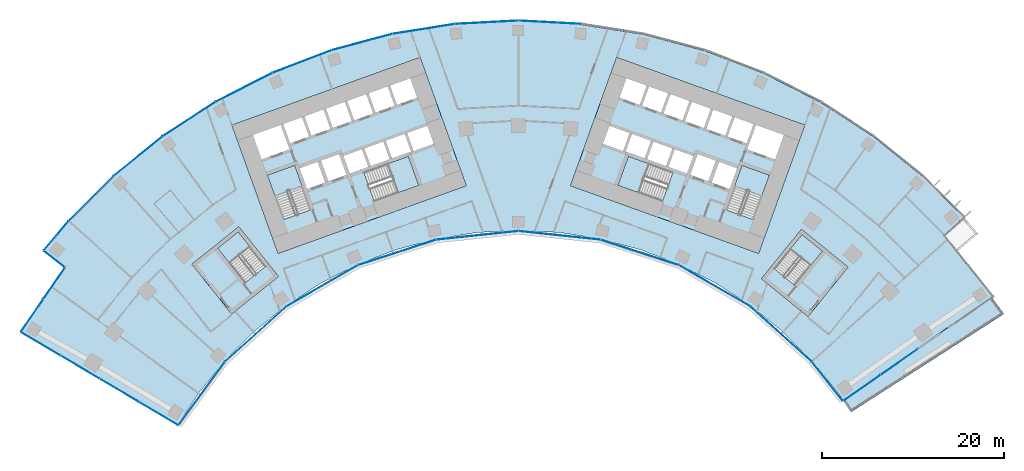
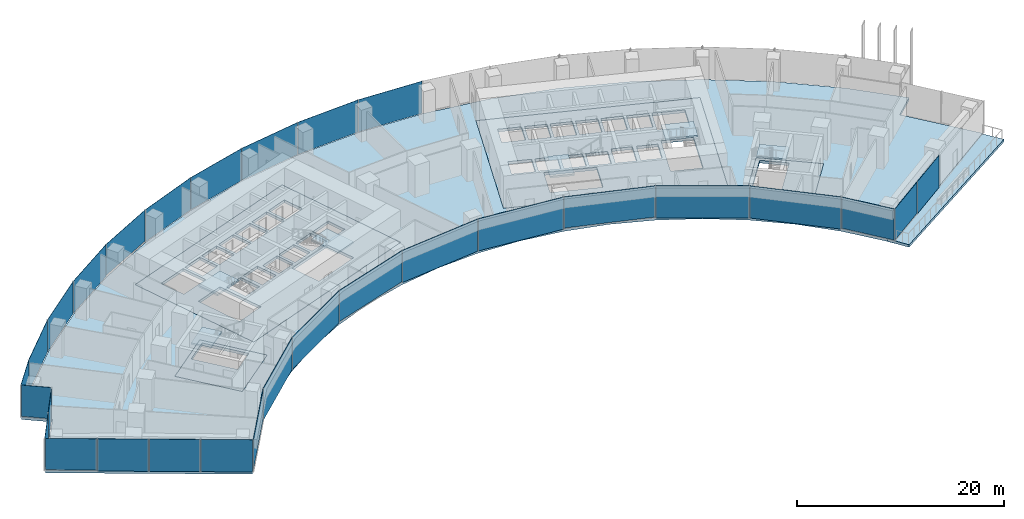
# One storey, part 12 of 21: 29 plates, 12 slabs, 12 elements without a shape of their own.
"""IFC4 building model written with IfcOpenShell, lengths in metres."""

from ifc_helpers import new_model, si_unit, direction, frame, origin, origin_2d, place, context, subcontext, project, spatial, polyline, rectangle, outline, extrude, material, layer, layer_set, type_object, element, aggregate, save


model = new_model("IFC4")

# Units and contexts
model_context = context("Model", 3, precision=1e-05, world=origin(), true_north=direction((0.0, 1.0)))
body_context = subcontext(model_context, "Body", "Model", "MODEL_VIEW")
ifc_project = project(units=[si_unit("LENGTHUNIT", "METRE"), si_unit("AREAUNIT", "SQUARE_METRE"), si_unit("VOLUMEUNIT", "CUBIC_METRE"), si_unit("PLANEANGLEUNIT", "RADIAN"), si_unit("MASSUNIT", "GRAM", prefix="KILO")], contexts=[model_context])

# Site, building, storey
site_placement = place(None, origin())
site = spatial("IfcSite", under=ifc_project, at=site_placement, CompositionType="ELEMENT")
building_placement = place(site_placement, origin())
building = spatial("IfcBuilding", under=site, at=building_placement, Name="Stone Belt Terrace Tower", CompositionType="ELEMENT")
storey_placement = place(building_placement, frame((0.0, 0.0, 56.60009765625)))
storey = spatial("IfcBuildingStorey", under=building, at=storey_placement, Name="L13", CompositionType="ELEMENT", Elevation=56.60009765625)

# Curtain wall, plates
ifc_material_1 = material(Name="Aluminium 6063-T6 anodised frame", Category="aluminium")
ifc_layer_1 = layer(ifc_material_1, 0.14990234375)
ifc_layer_set_1 = layer_set([ifc_layer_1], Name="CW-A unitised convex-face curtain wall")
curtain_wall_type_1 = type_object("IfcCurtainWallType", Name="CW-A unitised convex-face curtain wall", PredefinedType="NOTDEFINED", material=ifc_layer_set_1)
curtain_wall_1_placement = place(storey_placement, origin())
curtain_wall_1 = element("IfcCurtainWall", 1, at=curtain_wall_1_placement, inside=storey, type_object=curtain_wall_type_1, Name="CW-A convex face L13", PredefinedType="NOTDEFINED")
ifc_material_2 = material(Name="Clear double glazed unit")
ifc_layer_2 = layer(ifc_material_2, 0.031982421875)
ifc_layer_set_2 = layer_set([ifc_layer_2], Name="CW-A glass panel 32")
plate_type_1 = type_object("IfcPlateType", Name="CW-A glass panel 32", PredefinedType="CURTAIN_PANEL", material=ifc_layer_set_2)
plate_1_placement = place(storey_placement, frame((3.4794921875, 66.392822265625, 0.0), z_axis=(0.0, 0.0, 1.0), x_axis=(-0.998629534755, 0.052335956243, 0.0)))
plate_1 = element("IfcPlate", 2, at=plate_1_placement, type_object=plate_type_1, Name="CW-A panel 8.1", PredefinedType="CURTAIN_PANEL", context=body_context, shape_type="SweptSolid", body=[
    extrude(rectangle(XDim=6.90087890625, YDim=0.031982421875, at=origin_2d()), origin(), (0.0, 0.0, 1.0), 3.800048828125),
])
plate_2_placement = place(storey_placement, frame((-3.4794921875, 66.392822265625, 0.0), z_axis=(0.0, 0.0, 1.0), x_axis=(-0.998629534755, -0.052335956243, 0.0)))
plate_2 = element("IfcPlate", 3, at=plate_2_placement, type_object=plate_type_1, Name="CW-A panel 9.1", PredefinedType="CURTAIN_PANEL", context=body_context, shape_type="SweptSolid", body=[
    extrude(rectangle(XDim=6.90087890625, YDim=0.031982421875, at=origin_2d()), origin(), (0.0, 0.0, 1.0), 3.800048828125),
])
plate_3_placement = place(storey_placement, frame((-10.400390625, 65.665283203125, 0.0), z_axis=(0.0, 0.0, 1.0), x_axis=(-0.987688340595, -0.15643446504, 0.0)))
plate_3 = element("IfcPlate", 4, at=plate_3_placement, type_object=plate_type_1, Name="CW-A panel 10.1", PredefinedType="CURTAIN_PANEL", context=body_context, shape_type="SweptSolid", body=[
    extrude(rectangle(XDim=6.90087890625, YDim=0.031982421875, at=origin_2d()), origin(), (0.0, 0.0, 1.0), 3.800048828125),
])
plate_4_placement = place(storey_placement, frame((-17.207275390625, 64.218505859375, 0.0), z_axis=(0.0, 0.0, 1.0), x_axis=(-0.965925826289, -0.258819045103, 0.0)))
plate_4 = element("IfcPlate", 5, at=plate_4_placement, type_object=plate_type_1, Name="CW-A panel 11.1", PredefinedType="CURTAIN_PANEL", context=body_context, shape_type="SweptSolid", body=[
    extrude(rectangle(XDim=6.90087890625, YDim=0.031982421875, at=origin_2d()), origin(), (0.0, 0.0, 1.0), 3.800048828125),
])
plate_5_placement = place(storey_placement, frame((-23.82568359375, 62.068115234375, 0.0), z_axis=(0.0, 0.0, 1.0), x_axis=(-0.933580426497, -0.358367949545, 0.0)))
plate_5 = element("IfcPlate", 6, at=plate_5_placement, type_object=plate_type_1, Name="CW-A panel 12.1", PredefinedType="CURTAIN_PANEL", context=body_context, shape_type="SweptSolid", body=[
    extrude(rectangle(XDim=6.90087890625, YDim=0.031982421875, at=origin_2d()), origin(), (0.0, 0.0, 1.0), 3.800048828125),
])
plate_6_placement = place(storey_placement, frame((-30.18310546875, 59.237548828125, 0.14013671875), z_axis=(0.0, 0.0, 1.0), x_axis=(-0.891006524188, -0.45399049974, 0.0)))
plate_6 = element("IfcPlate", 7, at=plate_6_placement, type_object=plate_type_1, Name="CW-A panel 13.1", PredefinedType="CURTAIN_PANEL", context=body_context, shape_type="SweptSolid", body=[
    extrude(rectangle(XDim=6.90087890625, YDim=0.031982421875, at=origin_2d()), origin(), (0.0, 0.0, 1.0), 3.659912109375),
])
plate_7_placement = place(storey_placement, frame((-36.209716796875, 55.758056640625, 0.0), z_axis=(0.0, 0.0, 1.0), x_axis=(-0.838670567945, -0.544639035015, 0.0)))
plate_7 = element("IfcPlate", 8, at=plate_7_placement, type_object=plate_type_1, Name="CW-A panel 14.1", PredefinedType="CURTAIN_PANEL", context=body_context, shape_type="SweptSolid", body=[
    extrude(rectangle(XDim=6.90087890625, YDim=0.031982421875, at=origin_2d()), origin(), (0.0, 0.0, 1.0), 3.800048828125),
])
plate_8_placement = place(storey_placement, frame((-41.839599609375, 51.667724609375, 0.0), z_axis=(0.0, 0.0, 1.0), x_axis=(-0.777145961457, -0.62932039105, 0.0)))
plate_8 = element("IfcPlate", 9, at=plate_8_placement, type_object=plate_type_1, Name="CW-A panel 15.1", PredefinedType="CURTAIN_PANEL", context=body_context, shape_type="SweptSolid", body=[
    extrude(rectangle(XDim=6.90087890625, YDim=0.031982421875, at=origin_2d()), origin(), (0.0, 0.0, 1.0), 3.800048828125),
])
plate_9_placement = place(storey_placement, frame((-47.01123046875, 47.01123046875, 0.0), z_axis=(0.0, 0.0, 1.0), x_axis=(-0.707106781187, -0.707106781187, 0.0)))
plate_9 = element("IfcPlate", 10, at=plate_9_placement, type_object=plate_type_1, Name="CW-A panel 16.1", PredefinedType="CURTAIN_PANEL", context=body_context, shape_type="SweptSolid", body=[
    extrude(rectangle(XDim=6.90087890625, YDim=0.031982421875, at=origin_2d()), origin(), (0.0, 0.0, 1.0), 3.800048828125),
])
plate_10_placement = place(storey_placement, frame((-50.84423828125, 42.92626953125, 0.0), z_axis=(0.0, 0.0, 1.0), x_axis=(-0.645291395384, -0.763936525533, 0.0)))
plate_10 = element("IfcPlate", 11, at=plate_10_placement, type_object=plate_type_1, Name="CW-A panel 17.1", PredefinedType="CURTAIN_PANEL", context=body_context, shape_type="SweptSolid", body=[
    extrude(rectangle(XDim=4.17919921875, YDim=0.031982421875, at=origin_2d()), origin(), (0.0, 0.0, 1.0), 3.800048828125),
])
aggregate(curtain_wall_1, [plate_1, plate_2, plate_3, plate_4, plate_5, plate_6, plate_7, plate_8, plate_9, plate_10])

ifc_layer_3 = layer(ifc_material_1, 0.14990234375)
ifc_layer_set_3 = layer_set([ifc_layer_3], Name="CW-B unitised concave-face curtain wall")
curtain_wall_type_2 = type_object("IfcCurtainWallType", Name="CW-B unitised concave-face curtain wall", PredefinedType="NOTDEFINED", material=ifc_layer_set_3)
curtain_wall_2_placement = place(storey_placement, origin())
curtain_wall_2 = element("IfcCurtainWall", 12, at=curtain_wall_2_placement, inside=storey, type_object=curtain_wall_type_2, Name="CW-B concave face L13", PredefinedType="NOTDEFINED")
ifc_layer_4 = layer(ifc_material_2, 0.030029296875)
ifc_layer_set_4 = layer_set([ifc_layer_4], Name="CW-B glass panel 30")
plate_type_2 = type_object("IfcPlateType", Name="CW-B glass panel 30", PredefinedType="CURTAIN_PANEL", material=ifc_layer_set_4)
plate_11_placement = place(storey_placement, frame((-34.831787109375, 25.57177734375, 0.1201171875), z_axis=(0.0, 0.0, 1.0), x_axis=(0.592159017675, 0.805821132626, 0.0)))
plate_11 = element("IfcPlate", 13, at=plate_11_placement, type_object=plate_type_2, Name="CW-B panel 1.1", PredefinedType="CURTAIN_PANEL", context=body_context, shape_type="SweptSolid", body=[
    extrude(rectangle(XDim=8.583984375, YDim=0.030029296875, at=origin_2d()), origin(), (0.0, 0.0, 1.0), 3.679931640625),
])
plate_12_placement = place(storey_placement, frame((-28.897705078125, 32.09375, 0.0), z_axis=(0.0, 0.0, 1.0), x_axis=(0.743144825477, 0.669130606359, 0.0)))
plate_12 = element("IfcPlate", 14, at=plate_12_placement, type_object=plate_type_2, Name="CW-B panel 2.1", PredefinedType="CURTAIN_PANEL", context=body_context, shape_type="SweptSolid", body=[
    extrude(rectangle(XDim=9.01318359375, YDim=0.030029296875, at=origin_2d()), origin(), (0.0, 0.0, 1.0), 3.800048828125),
])
plate_13_placement = place(storey_placement, frame((-21.59326171875, 37.40087890625, 0.0), z_axis=(0.0, 0.0, 1.0), x_axis=(0.866025403784, 0.5, 0.0)))
plate_13 = element("IfcPlate", 15, at=plate_13_placement, type_object=plate_type_2, Name="CW-B panel 3.1", PredefinedType="CURTAIN_PANEL", context=body_context, shape_type="SweptSolid", body=[
    extrude(rectangle(XDim=9.0126953125, YDim=0.030029296875, at=origin_2d()), origin(), (0.0, 0.0, 1.0), 3.800048828125),
])
plate_14_placement = place(storey_placement, frame((-13.345458984375, 41.072998046875, 0.1201171875), z_axis=(0.0, 0.0, 1.0), x_axis=(0.951056516295, 0.309016994375, 0.0)))
plate_14 = element("IfcPlate", 16, at=plate_14_placement, type_object=plate_type_2, Name="CW-B panel 4.1", PredefinedType="CURTAIN_PANEL", context=body_context, shape_type="SweptSolid", body=[
    extrude(rectangle(XDim=9.0126953125, YDim=0.030029296875, at=origin_2d()), origin(), (0.0, 0.0, 1.0), 3.679931640625),
])
plate_15_placement = place(storey_placement, frame((-4.51416015625, 42.9501953125, 0.0), z_axis=(0.0, 0.0, 1.0), x_axis=(0.994521895368, 0.104528463268, 0.0)))
plate_15 = element("IfcPlate", 17, at=plate_15_placement, type_object=plate_type_2, Name="CW-B panel 5.1", PredefinedType="CURTAIN_PANEL", context=body_context, shape_type="SweptSolid", body=[
    extrude(rectangle(XDim=9.0126953125, YDim=0.030029296875, at=origin_2d()), origin(), (0.0, 0.0, 1.0), 3.800048828125),
])
plate_16_placement = place(storey_placement, frame((4.51416015625, 42.9501953125, 0.0), z_axis=(0.0, 0.0, 1.0), x_axis=(0.994521895368, -0.104528463268, 0.0)))
plate_16 = element("IfcPlate", 18, at=plate_16_placement, type_object=plate_type_2, Name="CW-B panel 6.1", PredefinedType="CURTAIN_PANEL", context=body_context, shape_type="SweptSolid", body=[
    extrude(rectangle(XDim=9.0126953125, YDim=0.030029296875, at=origin_2d()), origin(), (0.0, 0.0, 1.0), 3.800048828125),
])
plate_17_placement = place(storey_placement, frame((13.345458984375, 41.072998046875, 0.1201171875), z_axis=(0.0, 0.0, 1.0), x_axis=(0.951056516295, -0.309016994375, 0.0)))
plate_17 = element("IfcPlate", 19, at=plate_17_placement, type_object=plate_type_2, Name="CW-B panel 7.1", PredefinedType="CURTAIN_PANEL", context=body_context, shape_type="SweptSolid", body=[
    extrude(rectangle(XDim=9.0126953125, YDim=0.030029296875, at=origin_2d()), origin(), (0.0, 0.0, 1.0), 3.679931640625),
])
plate_18_placement = place(storey_placement, frame((21.59326171875, 37.40087890625, 0.0), z_axis=(0.0, 0.0, 1.0), x_axis=(0.866025403784, -0.5, 0.0)))
plate_18 = element("IfcPlate", 20, at=plate_18_placement, type_object=plate_type_2, Name="CW-B panel 8.1", PredefinedType="CURTAIN_PANEL", context=body_context, shape_type="SweptSolid", body=[
    extrude(rectangle(XDim=9.0126953125, YDim=0.030029296875, at=origin_2d()), origin(), (0.0, 0.0, 1.0), 3.800048828125),
])
plate_19_placement = place(storey_placement, frame((28.898681640625, 32.093017578125, 0.0), z_axis=(0.0, 0.0, 1.0), x_axis=(0.743144825477, -0.669130606359, 0.0)))
plate_19 = element("IfcPlate", 21, at=plate_19_placement, type_object=plate_type_2, Name="CW-B panel 9.1", PredefinedType="CURTAIN_PANEL", context=body_context, shape_type="SweptSolid", body=[
    extrude(rectangle(XDim=9.015869140625, YDim=0.030029296875, at=origin_2d()), origin(), (0.0, 0.0, 1.0), 3.800048828125),
])
plate_20_placement = place(storey_placement, frame((33.979248046875, 26.901123046875, 0.1201171875), z_axis=(0.0, 0.0, 1.0), x_axis=(0.621063679913, -0.783760107108, 0.0)))
plate_20 = element("IfcPlate", 22, at=plate_20_placement, type_object=plate_type_2, Name="CW-B panel 10.1", PredefinedType="CURTAIN_PANEL", context=body_context, shape_type="SweptSolid", body=[
    extrude(rectangle(XDim=5.435546875, YDim=0.030029296875, at=origin_2d()), origin(), (0.0, 0.0, 1.0), 3.679931640625),
])
aggregate(curtain_wall_2, [plate_11, plate_12, plate_13, plate_14, plate_15, plate_16, plate_17, plate_18, plate_19, plate_20])

ifc_layer_5 = layer(ifc_material_1, 0.14990234375)
ifc_layer_set_5 = layer_set([ifc_layer_5], Name="CW-C stick curtain wall, horn ends and notches")
curtain_wall_type_3 = type_object("IfcCurtainWallType", Name="CW-C stick curtain wall, horn ends and notches", PredefinedType="NOTDEFINED", material=ifc_layer_set_5)
curtain_wall_3_placement = place(storey_placement, origin())
curtain_wall_3 = element("IfcCurtainWall", 23, at=curtain_wall_3_placement, inside=storey, type_object=curtain_wall_type_3, Name="CW-C end face L13", PredefinedType="NOTDEFINED")
ifc_layer_6 = layer(ifc_material_2, 0.028076171875)
ifc_layer_set_6 = layer_set([ifc_layer_6], Name="CW-C glass panel 28")
plate_type_3 = type_object("IfcPlateType", Name="CW-C glass panel 28", PredefinedType="CURTAIN_PANEL", material=ifc_layer_set_6)
plate_21_placement = place(storey_placement, frame((37.81005859375, 26.17529296875, 0.1201171875), z_axis=(0.0, 0.0, 1.0), x_axis=(0.821271674793, 0.570537322339, 0.0)))
plate_21 = element("IfcPlate", 24, at=plate_21_placement, type_object=plate_type_3, Name="CW-C panel 1.1", PredefinedType="CURTAIN_PANEL", context=body_context, shape_type="SweptSolid", body=[
    extrude(rectangle(XDim=4.96728515625, YDim=0.028076171875, at=origin_2d()), origin(), (0.0, 0.0, 1.0), 3.679931640625),
])
plate_22_placement = place(storey_placement, frame((41.927734375, 29.035888671875, 0.0), z_axis=(0.0, 0.0, 1.0), x_axis=(0.821271674793, 0.570537322339, 0.0)))
plate_22 = element("IfcPlate", 25, at=plate_22_placement, type_object=plate_type_3, Name="CW-C panel 2.1", PredefinedType="CURTAIN_PANEL", context=body_context, shape_type="SweptSolid", body=[
    extrude(rectangle(XDim=4.93994140625, YDim=0.028076171875, at=origin_2d()), origin(), (0.0, 0.0, 1.0), 3.800048828125),
])
aggregate(curtain_wall_3, [plate_21, plate_22])

# Curtain wall, plate
curtain_wall_4_placement = place(storey_placement, origin())
curtain_wall_4 = element("IfcCurtainWall", 26, at=curtain_wall_4_placement, inside=storey, type_object=curtain_wall_type_3, Name="CW-C notch face L13", PredefinedType="NOTDEFINED")
plate_23_placement = place(storey_placement, frame((-51.061279296875, 40.3388671875, 0.1201171875), z_axis=(0.0, 0.0, 1.0), x_axis=(0.783963828584, -0.620806504051, 0.0)))
plate_23 = element("IfcPlate", 27, at=plate_23_placement, type_object=plate_type_3, Name="CW-C panel 1.1", PredefinedType="CURTAIN_PANEL", context=body_context, shape_type="SweptSolid", body=[
    extrude(rectangle(XDim=2.859375, YDim=0.028076171875, at=origin_2d()), origin(), (0.0, 0.0, 1.0), 3.679931640625),
])
aggregate(curtain_wall_4, [plate_23])

# Curtain wall, plates
curtain_wall_5_placement = place(storey_placement, origin())
curtain_wall_5 = element("IfcCurtainWall", 28, at=curtain_wall_5_placement, inside=storey, type_object=curtain_wall_type_3, Name="CW-C notch face L13", PredefinedType="NOTDEFINED")
plate_24_placement = place(storey_placement, frame((-51.091552734375, 37.647705078125, 0.1201171875), z_axis=(0.0, 0.0, 1.0), x_axis=(-0.566375967567, -0.824146991357, 0.0)))
plate_24 = element("IfcPlate", 29, at=plate_24_placement, type_object=plate_type_3, Name="CW-C panel 1.1", PredefinedType="CURTAIN_PANEL", context=body_context, shape_type="SweptSolid", body=[
    extrude(rectangle(XDim=4.12060546875, YDim=0.028076171875, at=origin_2d()), origin(), (0.0, 0.0, 1.0), 3.679931640625),
])
plate_25_placement = place(storey_placement, frame((-53.501220703125, 34.141357421875, 0.0), z_axis=(0.0, 0.0, 1.0), x_axis=(-0.566375967567, -0.824146991357, 0.0)))
plate_25 = element("IfcPlate", 30, at=plate_25_placement, type_object=plate_type_3, Name="CW-C panel 2.1", PredefinedType="CURTAIN_PANEL", context=body_context, shape_type="SweptSolid", body=[
    extrude(rectangle(XDim=4.268798828125, YDim=0.028076171875, at=origin_2d()), origin(), (0.0, 0.0, 1.0), 3.800048828125),
])
aggregate(curtain_wall_5, [plate_24, plate_25])

curtain_wall_6_placement = place(storey_placement, origin())
curtain_wall_6 = element("IfcCurtainWall", 31, at=curtain_wall_6_placement, inside=storey, type_object=curtain_wall_type_3, Name="CW-C end face L13", PredefinedType="NOTDEFINED")
plate_26_placement = place(storey_placement, frame((-52.54736328125, 31.014892578125, 0.1201171875), z_axis=(0.0, 0.0, 1.0), x_axis=(0.860557728521, -0.509352918793, 0.0)))
plate_26 = element("IfcPlate", 32, at=plate_26_placement, type_object=plate_type_3, Name="CW-C panel 1.1", PredefinedType="CURTAIN_PANEL", context=body_context, shape_type="SweptSolid", body=[
    extrude(rectangle(XDim=4.974853515625, YDim=0.028076171875, at=origin_2d()), origin(), (0.0, 0.0, 1.0), 3.679931640625),
])
plate_27_placement = place(storey_placement, frame((-48.2294921875, 28.459228515625, 0.0), z_axis=(0.0, 0.0, 1.0), x_axis=(0.860557728521, -0.509352918793, 0.0)))
plate_27 = element("IfcPlate", 33, at=plate_27_placement, type_object=plate_type_3, Name="CW-C panel 2.1", PredefinedType="CURTAIN_PANEL", context=body_context, shape_type="SweptSolid", body=[
    extrude(rectangle(XDim=4.93994140625, YDim=0.028076171875, at=origin_2d()), origin(), (0.0, 0.0, 1.0), 3.800048828125),
])
plate_28_placement = place(storey_placement, frame((-43.9267578125, 25.912353515625, 0.0), z_axis=(0.0, 0.0, 1.0), x_axis=(0.860557728521, -0.509352918793, 0.0)))
plate_28 = element("IfcPlate", 34, at=plate_28_placement, type_object=plate_type_3, Name="CW-C panel 3.1", PredefinedType="CURTAIN_PANEL", context=body_context, shape_type="SweptSolid", body=[
    extrude(rectangle(XDim=4.93994140625, YDim=0.028076171875, at=origin_2d()), origin(), (0.0, 0.0, 1.0), 3.800048828125),
])
plate_29_placement = place(storey_placement, frame((-39.613037109375, 23.359130859375, 0.0), z_axis=(0.0, 0.0, 1.0), x_axis=(0.860557728521, -0.509352918793, 0.0)))
plate_29 = element("IfcPlate", 35, at=plate_29_placement, type_object=plate_type_3, Name="CW-C panel 4.1", PredefinedType="CURTAIN_PANEL", context=body_context, shape_type="SweptSolid", body=[
    extrude(rectangle(XDim=4.96533203125, YDim=0.028076171875, at=origin_2d()), origin(), (0.0, 0.0, 1.0), 3.800048828125),
])
aggregate(curtain_wall_6, [plate_26, plate_27, plate_28, plate_29])

# Slabs
ifc_material_3 = material(Name="Concrete B40", Category="concrete")
ifc_layer_7 = layer(ifc_material_3, 0.320068359375)
ifc_layer_set_7 = layer_set([ifc_layer_7], Name="Core floor slab 320")
slab_type_1 = type_object("IfcSlabType", Name="Core floor slab 320", PredefinedType="FLOOR", material=ifc_layer_set_7)
slab_1_placement = place(storey_placement, frame((0.0, 0.0, -0.320068359375)))
element("IfcSlab", 36, at=slab_1_placement, inside=storey, type_object=slab_type_1, Name="Core A floor L13", PredefinedType="FLOOR", context=body_context, shape_type="SweptSolid", body=[
    extrude(outline(polyline([(-26.43505859375, 40.968994140625), (-5.735107421875, 48.4189453125), (-10.81396484375, 62.531982421875), (-31.513916015625, 55.0830078125), (-26.43505859375, 40.968994140625)]), holes=[polyline([(-24.60791015625, 50.659912109375), (-22.847900390625, 45.76806640625), (-25.85888671875, 44.68408203125), (-27.618896484375, 49.575927734375), (-24.60791015625, 50.659912109375)]), polyline([(-21.27392578125, 48.778076171875), (-23.25, 48.06689453125), (-24.06298828125, 50.324951171875), (-22.0869140625, 51.035888671875), (-21.27392578125, 48.778076171875)]), polyline([(-18.922119140625, 49.6240234375), (-20.89794921875, 48.9130859375), (-21.7109375, 51.1708984375), (-19.735107421875, 51.883056640625), (-18.922119140625, 49.6240234375)]), polyline([(-19.239990234375, 51.68896484375), (-17.217041015625, 52.4169921875), (-16.52294921875, 50.488037109375), (-18.5458984375, 49.760009765625), (-19.239990234375, 51.68896484375)]), polyline([(-29.2109375, 53.9990234375), (-26.153076171875, 55.09912109375), (-25.18798828125, 52.41796875), (-28.24609375, 51.31689453125), (-29.2109375, 53.9990234375)]), polyline([(-23.801025390625, 55.946044921875), (-23.0390625, 53.8291015625), (-25.10888671875, 53.083984375), (-25.87109375, 55.200927734375), (-23.801025390625, 55.946044921875)]), polyline([(-21.447998046875, 56.7919921875), (-20.68603515625, 54.675048828125), (-22.756103515625, 53.929931640625), (-23.51806640625, 56.047119140625), (-21.447998046875, 56.7919921875)]), polyline([(-19.095947265625, 57.638916015625), (-18.333984375, 55.52197265625), (-20.404052734375, 54.777099609375), (-21.166015625, 56.89404296875), (-19.095947265625, 57.638916015625)]), polyline([(-15.846923828125, 46.69189453125), (-16.998046875, 49.89208984375), (-12.10595703125, 51.652099609375), (-10.955078125, 48.452880859375), (-15.846923828125, 46.69189453125)]), polyline([(-16.239990234375, 50.589111328125), (-16.93408203125, 52.51806640625), (-14.864013671875, 53.262939453125), (-14.169921875, 51.333984375), (-16.239990234375, 50.589111328125)]), polyline([(-11.801025390625, 52.134033203125), (-11.847900390625, 52.116943359375), (-11.864990234375, 52.1640625), (-13.887939453125, 51.43603515625), (-14.58203125, 53.364990234375), (-12.511962890625, 54.110107421875), (-11.801025390625, 52.134033203125)]), polyline([(-9.30810546875, 53.031005859375), (-11.51904296875, 52.235107421875), (-12.22998046875, 54.2109375), (-10.01904296875, 55.007080078125), (-9.30810546875, 53.031005859375)]), polyline([(-16.743896484375, 58.485107421875), (-15.98193359375, 56.367919921875), (-18.052001953125, 55.623046875), (-18.81396484375, 57.739990234375), (-16.743896484375, 58.485107421875)]), polyline([(-14.39111328125, 59.33203125), (-13.6298828125, 57.215087890625), (-15.699951171875, 56.469970703125), (-16.4609375, 58.5869140625), (-14.39111328125, 59.33203125)]), polyline([(-11.89794921875, 60.22900390625), (-11.135986328125, 58.112060546875), (-13.346923828125, 57.31591796875), (-14.10888671875, 59.43408203125), (-11.89794921875, 60.22900390625)])]), origin(), (0.0, 0.0, 1.0), 0.320068359375),
])
slab_2_placement = place(storey_placement, frame((0.0, 0.0, -0.320068359375)))
element("IfcSlab", 37, at=slab_2_placement, inside=storey, type_object=slab_type_1, Name="Core B floor L13", PredefinedType="FLOOR", context=body_context, shape_type="SweptSolid", body=[
    extrude(outline(polyline([(26.43505859375, 40.968994140625), (31.513916015625, 55.0830078125), (10.81396484375, 62.531982421875), (5.735107421875, 48.4189453125), (26.43505859375, 40.968994140625)]), holes=[polyline([(12.10595703125, 51.652099609375), (16.998046875, 49.89208984375), (15.846923828125, 46.69189453125), (10.955078125, 48.452880859375), (12.10595703125, 51.652099609375)]), polyline([(19.239990234375, 51.68896484375), (18.5458984375, 49.760009765625), (16.52294921875, 50.488037109375), (17.217041015625, 52.4169921875), (19.239990234375, 51.68896484375)]), polyline([(16.239990234375, 50.589111328125), (14.169921875, 51.333984375), (14.864013671875, 53.262939453125), (16.93408203125, 52.51806640625), (16.239990234375, 50.589111328125)]), polyline([(14.58203125, 53.364990234375), (13.887939453125, 51.43603515625), (11.864990234375, 52.1640625), (11.847900390625, 52.116943359375), (11.801025390625, 52.134033203125), (12.511962890625, 54.110107421875), (14.58203125, 53.364990234375)]), polyline([(9.30810546875, 53.031005859375), (10.01904296875, 55.007080078125), (12.22998046875, 54.2109375), (11.51904296875, 52.235107421875), (9.30810546875, 53.031005859375)]), polyline([(16.743896484375, 58.485107421875), (18.81396484375, 57.739990234375), (18.052001953125, 55.623046875), (15.98193359375, 56.367919921875), (16.743896484375, 58.485107421875)]), polyline([(14.39111328125, 59.33203125), (16.4609375, 58.5869140625), (15.699951171875, 56.469970703125), (13.6298828125, 57.215087890625), (14.39111328125, 59.33203125)]), polyline([(11.89794921875, 60.22900390625), (14.10888671875, 59.43408203125), (13.346923828125, 57.31591796875), (11.135986328125, 58.112060546875), (11.89794921875, 60.22900390625)]), polyline([(25.85888671875, 44.68408203125), (22.847900390625, 45.76806640625), (24.60791015625, 50.659912109375), (27.618896484375, 49.575927734375), (25.85888671875, 44.68408203125)]), polyline([(21.27392578125, 48.778076171875), (22.0869140625, 51.035888671875), (24.06298828125, 50.324951171875), (23.25, 48.06689453125), (21.27392578125, 48.778076171875)]), polyline([(18.922119140625, 49.6240234375), (19.735107421875, 51.883056640625), (21.7109375, 51.1708984375), (20.89794921875, 48.9130859375), (18.922119140625, 49.6240234375)]), polyline([(29.2109375, 53.9990234375), (28.24609375, 51.31689453125), (25.18798828125, 52.41796875), (26.153076171875, 55.09912109375), (29.2109375, 53.9990234375)]), polyline([(23.801025390625, 55.946044921875), (25.87109375, 55.200927734375), (25.10888671875, 53.083984375), (23.0390625, 53.8291015625), (23.801025390625, 55.946044921875)]), polyline([(21.447998046875, 56.7919921875), (23.51806640625, 56.047119140625), (22.756103515625, 53.929931640625), (20.68603515625, 54.675048828125), (21.447998046875, 56.7919921875)]), polyline([(19.095947265625, 57.638916015625), (21.166015625, 56.89404296875), (20.404052734375, 54.777099609375), (18.333984375, 55.52197265625), (19.095947265625, 57.638916015625)])]), origin(), (0.0, 0.0, 1.0), 0.320068359375),
])
slab_3_placement = place(storey_placement, frame((0.0, 0.0, -0.320068359375)))
element("IfcSlab", 38, at=slab_3_placement, inside=storey, type_object=slab_type_1, Name="Exit stair ST3A floor L13", PredefinedType="FLOOR", context=body_context, shape_type="SweptSolid", body=[
    extrude(outline(polyline([(-26.39404296875, 38.425048828125), (-30.756103515625, 43.89990234375), (-35.91796875, 39.787109375), (-31.555908203125, 34.31298828125), (-26.39404296875, 38.425048828125)]), holes=[polyline([(-27.798095703125, 39.544921875), (-30.06591796875, 37.738037109375), (-33.087890625, 41.531005859375), (-30.820068359375, 43.337890625), (-27.798095703125, 39.544921875)])]), origin(), (0.0, 0.0, 1.0), 0.320068359375),
])
slab_4_placement = place(storey_placement, frame((0.0, 0.0, -0.320068359375)))
element("IfcSlab", 39, at=slab_4_placement, inside=storey, type_object=slab_type_1, Name="Exit stair ST3B floor L13", PredefinedType="FLOOR", context=body_context, shape_type="SweptSolid", body=[
    extrude(outline(polyline([(26.741943359375, 38.18408203125), (31.866943359375, 34.02392578125), (36.278076171875, 39.458984375), (31.154052734375, 43.618896484375), (26.741943359375, 38.18408203125)]), holes=[polyline([(30.407958984375, 37.462890625), (28.156005859375, 39.291015625), (31.2119140625, 43.055908203125), (33.464111328125, 41.22802734375), (30.407958984375, 37.462890625)])]), origin(), (0.0, 0.0, 1.0), 0.320068359375),
])
ifc_layer_8 = layer(ifc_material_3, 0.320068359375)
ifc_layer_set_8 = layer_set([ifc_layer_8], Name="Floor slab 320 B40")
slab_type_2 = type_object("IfcSlabType", Name="Floor slab 320 B40", PredefinedType="FLOOR", material=ifc_layer_set_8)
slab_5_placement = place(storey_placement, frame((0.0, 0.0, -0.320068359375)))
element("IfcSlab", 40, at=slab_5_placement, inside=storey, type_object=slab_type_2, Name="Floor slab L13", PredefinedType="FLOOR", context=body_context, shape_type="SweptSolid", body=[
    extrude(outline(polyline([(-49.419189453125, 44.497314453125), (-44.497314453125, 49.419189453125), (-39.087646484375, 53.799560546875), (-33.25, 57.5908203125), (-27.048095703125, 60.750732421875), (-20.549560546875, 63.245361328125), (-13.826171875, 65.046875), (-6.951171875, 66.1357421875), (0.0, 66.5), (6.951171875, 66.1357421875), (13.826171875, 65.046875), (20.549560546875, 63.245361328125), (27.048095703125, 60.750732421875), (33.25, 57.5908203125), (39.087646484375, 53.799560546875), (44.497314453125, 49.419189453125), (48.99609375, 44.962646484375), (46.78564453125, 42.934326171875), (52.15087890625, 36.22900390625), (35.725341796875, 24.818359375), (35.192138671875, 25.568603515625), (32.326904296875, 29.107177734375), (29.107177734375, 32.326904296875), (25.568603515625, 35.192138671875), (21.75, 37.672119140625), (17.693115234375, 39.7392578125), (13.442138671875, 41.37109375), (9.044189453125, 42.54931640625), (4.547119140625, 43.26171875), (0.0, 43.5), (-4.547119140625, 43.26171875), (-9.044189453125, 42.54931640625), (-13.442138671875, 41.37109375), (-17.693115234375, 39.7392578125), (-21.75, 37.672119140625), (-25.568603515625, 35.192138671875), (-29.107177734375, 32.326904296875), (-32.326904296875, 29.107177734375), (-35.192138671875, 25.568603515625), (-37.434326171875, 22.156982421875), (-54.6455078125, 32.343994140625), (-49.78173828125, 39.421142578125), (-52.133544921875, 41.28369140625), (-49.419189453125, 44.497314453125)]), holes=[polyline([(-26.434814453125, 40.968994140625), (-5.734619140625, 48.418701171875), (-10.81396484375, 62.532470703125), (-31.51416015625, 55.082763671875), (-26.434814453125, 40.968994140625)]), polyline([(10.81396484375, 62.532470703125), (5.734619140625, 48.418701171875), (26.434814453125, 40.968994140625), (31.51416015625, 55.082763671875), (10.81396484375, 62.532470703125)]), polyline([(-35.91796875, 39.787353515625), (-31.55615234375, 34.3125), (-26.39404296875, 38.425048828125), (-30.756103515625, 43.89990234375), (-35.91796875, 39.787353515625)]), polyline([(36.2783203125, 39.459228515625), (31.15380859375, 43.61865234375), (26.742431640625, 38.18359375), (31.86669921875, 34.024169921875), (36.2783203125, 39.459228515625)])]), origin(), (0.0, 0.0, 1.0), 0.320068359375),
])

# Stair, slab
stair_type = type_object("IfcStairType", Name="Exit stair 1500", PredefinedType="HALF_TURN_STAIR", material=ifc_material_3)
stair_1_placement = place(storey_placement, origin())
stair_1 = element("IfcStair", 41, at=stair_1_placement, inside=storey, type_object=stair_type, Name="L13 Exit stair 1 core A", PredefinedType="HALF_TURN_STAIR")
ifc_layer_9 = layer(ifc_material_3, 0.199951171875)
ifc_layer_set_9 = layer_set([ifc_layer_9], Name="Stair landing 200")
slab_type_3 = type_object("IfcSlabType", Name="Stair landing 200", PredefinedType="LANDING", material=ifc_layer_set_9)
slab_6_placement = place(storey_placement, frame((0.0, 0.0, 1.699951171875)))
slab_6 = element("IfcSlab", 42, at=slab_6_placement, type_object=slab_type_3, Name="ST1A landing 1", PredefinedType="LANDING", context=body_context, shape_type="SweptSolid", body=[
    extrude(outline(polyline([(-23.79541015625, 48.40087890625), (-24.6083984375, 50.659912109375), (-27.619384765625, 49.576171875), (-26.806396484375, 47.3173828125), (-23.79541015625, 48.40087890625)])), origin(), (0.0, 0.0, 1.0), 0.199951171875),
])
aggregate(stair_1, [slab_6])

stair_2_placement = place(storey_placement, origin())
stair_2 = element("IfcStair", 43, at=stair_2_placement, inside=storey, type_object=stair_type, Name="L13 Exit stair 2 core A", PredefinedType="HALF_TURN_STAIR")
slab_7_placement = place(storey_placement, frame((0.0, 0.0, 1.699951171875)))
slab_7 = element("IfcSlab", 44, at=slab_7_placement, type_object=slab_type_3, Name="ST2A landing 1", PredefinedType="LANDING", context=body_context, shape_type="SweptSolid", body=[
    extrude(outline(polyline([(-13.213623046875, 47.64013671875), (-10.95458984375, 48.453125), (-12.10595703125, 51.652099609375), (-14.36474609375, 50.839111328125), (-13.213623046875, 47.64013671875)])), origin(), (0.0, 0.0, 1.0), 0.199951171875),
])
aggregate(stair_2, [slab_7])

stair_3_placement = place(storey_placement, origin())
stair_3 = element("IfcStair", 45, at=stair_3_placement, inside=storey, type_object=stair_type, Name="L13 Exit stair 1 core B", PredefinedType="HALF_TURN_STAIR")
slab_8_placement = place(storey_placement, frame((0.0, 0.0, 1.699951171875)))
slab_8 = element("IfcSlab", 46, at=slab_8_placement, type_object=slab_type_3, Name="ST1B landing 1", PredefinedType="LANDING", context=body_context, shape_type="SweptSolid", body=[
    extrude(outline(polyline([(26.806396484375, 47.3173828125), (27.619384765625, 49.576171875), (24.6083984375, 50.659912109375), (23.79541015625, 48.40087890625), (26.806396484375, 47.3173828125)])), origin(), (0.0, 0.0, 1.0), 0.199951171875),
])
aggregate(stair_3, [slab_8])

stair_4_placement = place(storey_placement, origin())
stair_4 = element("IfcStair", 47, at=stair_4_placement, inside=storey, type_object=stair_type, Name="L13 Exit stair 2 core B", PredefinedType="HALF_TURN_STAIR")
slab_9_placement = place(storey_placement, frame((0.0, 0.0, 1.699951171875)))
slab_9 = element("IfcSlab", 48, at=slab_9_placement, type_object=slab_type_3, Name="ST2B landing 1", PredefinedType="LANDING", context=body_context, shape_type="SweptSolid", body=[
    extrude(outline(polyline([(14.36474609375, 50.839111328125), (12.10595703125, 51.652099609375), (10.95458984375, 48.453125), (13.213623046875, 47.64013671875), (14.36474609375, 50.839111328125)])), origin(), (0.0, 0.0, 1.0), 0.199951171875),
])
aggregate(stair_4, [slab_9])

stair_5_placement = place(storey_placement, origin())
stair_5 = element("IfcStair", 49, at=stair_5_placement, inside=storey, type_object=stair_type, Name="L13 Exit stair 3A", PredefinedType="HALF_TURN_STAIR")
slab_10_placement = place(storey_placement, frame((0.0, 0.0, 1.699951171875)))
slab_10 = element("IfcSlab", 50, at=slab_10_placement, type_object=slab_type_3, Name="ST3A landing 1", PredefinedType="LANDING", context=body_context, shape_type="SweptSolid", body=[
    extrude(outline(polyline([(-29.541748046875, 41.73388671875), (-30.819580078125, 43.337890625), (-33.087646484375, 41.53076171875), (-31.809814453125, 39.9267578125), (-29.541748046875, 41.73388671875)])), origin(), (0.0, 0.0, 1.0), 0.199951171875),
])
aggregate(stair_5, [slab_10])

stair_6_placement = place(storey_placement, origin())
stair_6 = element("IfcStair", 51, at=stair_6_placement, inside=storey, type_object=stair_type, Name="L13 Exit stair 3B", PredefinedType="HALF_TURN_STAIR")
slab_11_placement = place(storey_placement, frame((0.0, 0.0, 1.699951171875)))
slab_11 = element("IfcSlab", 52, at=slab_11_placement, type_object=slab_type_3, Name="ST3B landing 1", PredefinedType="LANDING", context=body_context, shape_type="SweptSolid", body=[
    extrude(outline(polyline([(32.17138671875, 39.635986328125), (33.4638671875, 41.228271484375), (31.21240234375, 43.055908203125), (29.919921875, 41.463623046875), (32.17138671875, 39.635986328125)])), origin(), (0.0, 0.0, 1.0), 0.199951171875),
])
aggregate(stair_6, [slab_11])

# Slab
ifc_layer_10 = layer(ifc_material_3, 0.300048828125)
ifc_layer_set_10 = layer_set([ifc_layer_10], Name="Terrace slab 300 B40")
slab_type_4 = type_object("IfcSlabType", Name="Terrace slab 300 B40", PredefinedType="FLOOR", material=ifc_layer_set_10)
slab_12_placement = place(storey_placement, frame((0.0, 0.0, -0.300048828125)))
element("IfcSlab", 53, at=slab_12_placement, inside=storey, type_object=slab_type_4, Name="Terrace slab L13-stack_terrace-1", PredefinedType="FLOOR", context=body_context, shape_type="SweptSolid", body=[
    extrude(outline(polyline([(36.60400390625, 23.503173828125), (53.433349609375, 34.30908203125), (52.056884765625, 36.163818359375), (35.725341796875, 24.818359375), (35.31396484375, 25.3974609375), (35.310791015625, 25.395263671875), (36.60400390625, 23.503173828125)])), origin(), (0.0, 0.0, 1.0), 0.300048828125),
])

save(model, "model.ifc")
